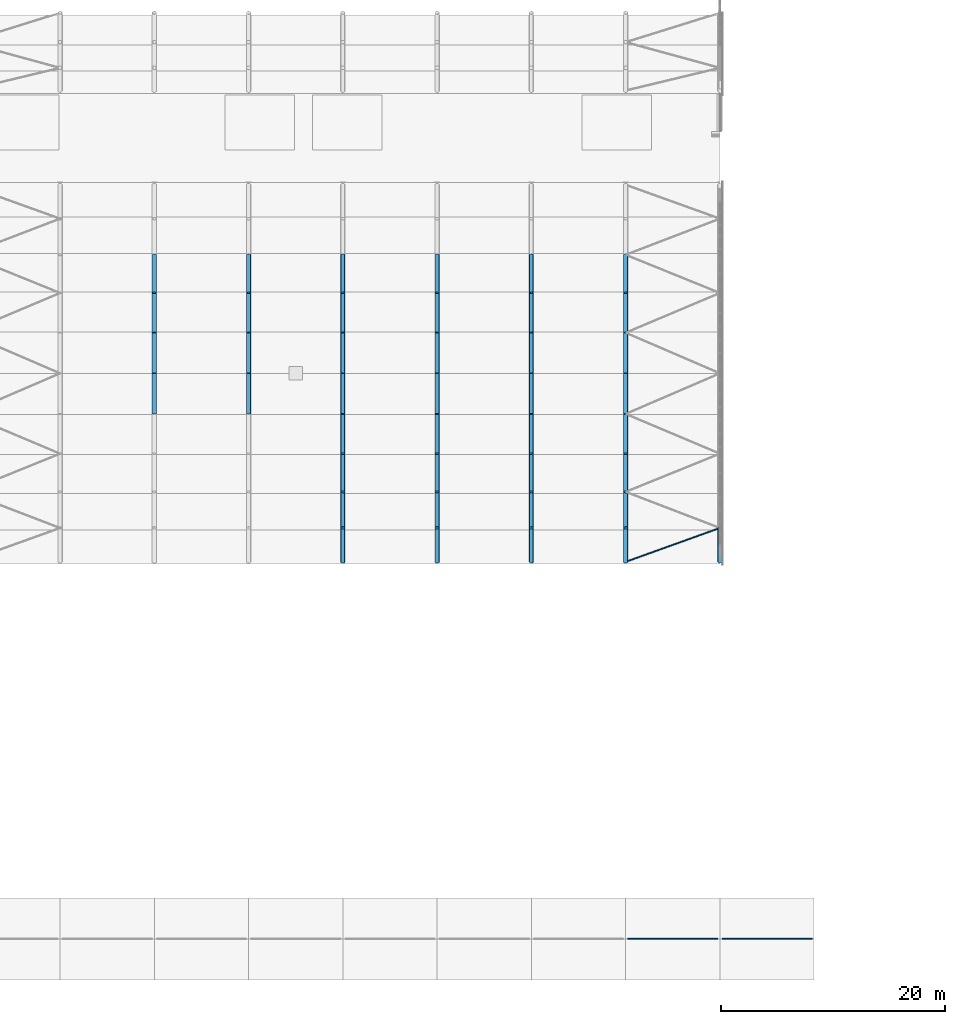
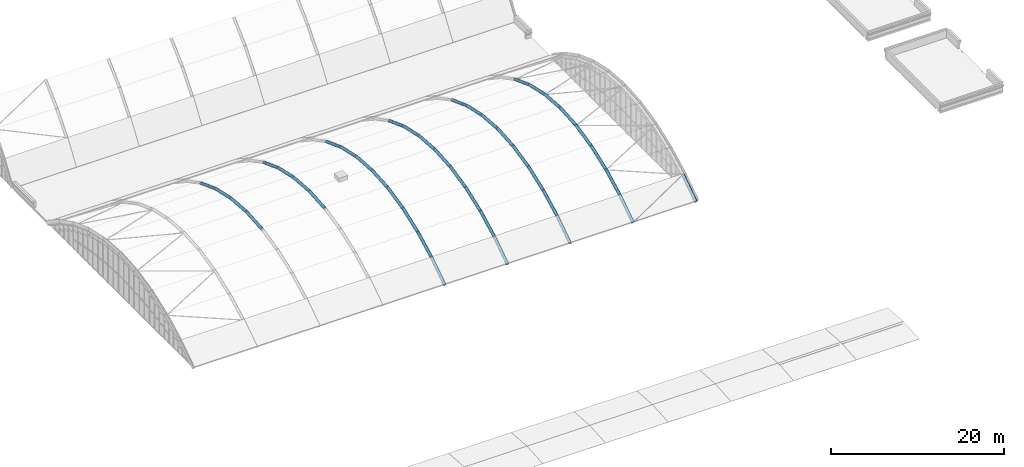
# One storey, part 10 of 77: 44 members.
"""IFC4 building model written with IfcOpenShell, lengths in metres."""

from ifc_helpers import new_model, si_unit, direction, frame, origin, origin_2d, place, context, subcontext, project, spatial, hollow_circle, extrude, material, material_profile, profile_set, type_object, element, save


model = new_model("IFC4")

# Units and contexts
model_context = context("Model", 3, precision=1e-05, world=origin(), true_north=direction((0.0, 1.0)))
body_context = subcontext(model_context, "Body", "Model", "MODEL_VIEW")
ifc_project = project(units=[si_unit("LENGTHUNIT", "METRE"), si_unit("AREAUNIT", "SQUARE_METRE"), si_unit("VOLUMEUNIT", "CUBIC_METRE"), si_unit("PLANEANGLEUNIT", "RADIAN"), si_unit("MASSUNIT", "GRAM", prefix="KILO")], contexts=[model_context])

# Site, building, storey
site_placement = place(None, origin())
site = spatial("IfcSite", under=ifc_project, at=site_placement, CompositionType="ELEMENT")
building_placement = place(site_placement, origin())
building = spatial("IfcBuilding", under=site, at=building_placement, Name="Catenary Quay Ferry Terminal", CompositionType="ELEMENT")
storey_placement = place(building_placement, frame((0.0, 0.0, 10.800048828125)))
storey = spatial("IfcBuildingStorey", under=building, at=storey_placement, Name="L02", CompositionType="ELEMENT", Elevation=10.800048828125)

# Members
ifc_material_1 = material(Name="Steel S355", Category="steel")
ifc_material_profile_1 = material_profile(ifc_material_1, hollow_circle(Radius=0.06982421875, WallThickness=0.008056640625, at=origin_2d()), Name="CHS 139.7x8")
ifc_profile_set_1 = profile_set([ifc_material_profile_1], Name="Steel S355")
member_type_1 = type_object("IfcMemberType", Name="BR1 CHS 139.7x8", PredefinedType="BRACE", material=ifc_profile_set_1)
member_1_placement = place(storey_placement, frame((84.195068359375, 67.27001953125, 0.046875), z_axis=(0.91804351654, 0.329853169346, 0.219984063995), x_axis=(-0.338136337743, 0.941097134784, 0.0)))
element("IfcMember", 1, at=member_1_placement, inside=storey, type_object=member_type_1, Name="Roof brace BR-VA-08-01", PredefinedType="BRACE", context=body_context, shape_type="SweptSolid", body=[
    extrude(hollow_circle(Radius=0.06982421875, WallThickness=0.008056640625, at=origin_2d()), origin(), (0.0, 0.0, 1.0), 8.937255859375),
])
ifc_material_2 = material(Name="Steel S355", Category="steel")
ifc_material_profile_2 = material_profile(ifc_material_2, hollow_circle(Radius=0.06982421875, WallThickness=0.008056640625, at=origin_2d()), Name="CHS 139.7x8")
ifc_profile_set_2 = profile_set([ifc_material_profile_2], Name="Steel S355")
member_type_2 = type_object("IfcMemberType", Name="PU1 CHS 139.7x8", PredefinedType="PURLIN", material=ifc_profile_set_2)
for number, where, z_axis, x_axis, name in (
    (2, (84.172119140625, 33.60009765625, 0.199951171875), (1.0, 0.0, 0.0), (0.0, 1.0, 0.0), "Purlin PU-CA-09-05"),
    (3, (92.572021484375, 33.60009765625, 0.199951171875), (1.0, 0.0, 0.0), (0.0, 1.0, 0.0), "Purlin PU-CA-10-05"),
):
    element("IfcMember", number, at=place(storey_placement, frame(where, z_axis=z_axis, x_axis=x_axis)), inside=storey, type_object=member_type_2, Name=name, PredefinedType="PURLIN", context=body_context, shape_type="SweptSolid", body=[
        extrude(hollow_circle(Radius=0.06982421875, WallThickness=0.008056640625, at=origin_2d()), origin(), (0.0, 0.0, 1.0), 8.055908203125),
    ])
ifc_material_3 = material(Name="Steel S355", Category="steel")
ifc_material_profile_3 = material_profile(ifc_material_3, hollow_circle(Radius=0.203125, WallThickness=0.01611328125, at=origin_2d()), Name="CHS 406.4x16")
ifc_profile_set_3 = profile_set([ifc_material_profile_3], Name="Steel S355")
member_type_3 = type_object("IfcMemberType", Name="VR3 CHS 406.4x16", PredefinedType="RAFTER", material=ifc_profile_set_3)
for number, where, z_axis, x_axis, name in (
    (4, (42.0, 80.382080078125, 5.73193359375), (0.0, 0.997266285305, 0.073891516382), (-1.0, 0.0, 0.0), "Vault rib VA-03-05"),
    (5, (42.0, 84.0, 6.0), (0.0, 0.997266285305, -0.073891516382), (-1.0, 0.0, 0.0), "Vault rib VA-03-06"),
):
    element("IfcMember", number, at=place(storey_placement, frame(where, z_axis=z_axis, x_axis=x_axis)), inside=storey, type_object=member_type_3, Name=name, PredefinedType="RAFTER", context=body_context, shape_type="SweptSolid", body=[
        extrude(hollow_circle(Radius=0.203125, WallThickness=0.01611328125, at=origin_2d()), origin(), (0.0, 0.0, 1.0), 3.6279296875),
    ])
for number, where, z_axis, x_axis, name in (
    (6, (42.0, 87.617919921875, 5.73193359375), (0.0, 0.976201307112, -0.216866336698), (-1.0, 0.0, 0.0), "Vault rib VA-03-07"),
    (7, (42.0, 91.159912109375, 4.945068359375), (0.0, 0.937641576687, -0.347603615728), (-1.0, 0.0, 0.0), "Vault rib VA-03-08"),
):
    element("IfcMember", number, at=place(storey_placement, frame(where, z_axis=z_axis, x_axis=x_axis)), inside=storey, type_object=member_type_3, Name=name, PredefinedType="RAFTER", context=body_context, shape_type="SweptSolid", body=[
        extrude(hollow_circle(Radius=0.203125, WallThickness=0.01611328125, at=origin_2d()), origin(), (0.0, 0.0, 1.0), 3.62841796875),
    ])
for number, where, z_axis, x_axis, name in (
    (8, (50.39990234375, 80.382080078125, 5.73193359375), (0.0, 0.997266285305, 0.073891516382), (-1.0, 0.0, 0.0), "Vault rib VA-04-05"),
    (9, (50.39990234375, 84.0, 6.0), (0.0, 0.997266285305, -0.073891516382), (-1.0, 0.0, 0.0), "Vault rib VA-04-06"),
):
    element("IfcMember", number, at=place(storey_placement, frame(where, z_axis=z_axis, x_axis=x_axis)), inside=storey, type_object=member_type_3, Name=name, PredefinedType="RAFTER", context=body_context, shape_type="SweptSolid", body=[
        extrude(hollow_circle(Radius=0.203125, WallThickness=0.01611328125, at=origin_2d()), origin(), (0.0, 0.0, 1.0), 3.6279296875),
    ])
for number, where, z_axis, x_axis, name in (
    (10, (50.39990234375, 87.617919921875, 5.73193359375), (0.0, 0.976201307112, -0.216866336698), (-1.0, 0.0, 0.0), "Vault rib VA-04-07"),
    (11, (50.39990234375, 91.159912109375, 4.945068359375), (0.0, 0.937641576687, -0.347603615728), (-1.0, 0.0, 0.0), "Vault rib VA-04-08"),
):
    element("IfcMember", number, at=place(storey_placement, frame(where, z_axis=z_axis, x_axis=x_axis)), inside=storey, type_object=member_type_3, Name=name, PredefinedType="RAFTER", context=body_context, shape_type="SweptSolid", body=[
        extrude(hollow_circle(Radius=0.203125, WallThickness=0.01611328125, at=origin_2d()), origin(), (0.0, 0.0, 1.0), 3.62841796875),
    ])
for number, where, z_axis, x_axis, name in (
    (12, (58.800048828125, 67.199951171875, 0.0), (0.0, 0.831936388081, 0.554871017613), (-1.0, 0.0, 0.0), "Vault rib VA-05-01"),
    (13, (58.800048828125, 70.218017578125, 2.012939453125), (0.0, 0.887609848797, 0.460596088041), (-1.0, 0.0, 0.0), "Vault rib VA-05-02"),
):
    element("IfcMember", number, at=place(storey_placement, frame(where, z_axis=z_axis, x_axis=x_axis)), inside=storey, type_object=member_type_3, Name=name, PredefinedType="RAFTER", context=body_context, shape_type="SweptSolid", body=[
        extrude(hollow_circle(Radius=0.203125, WallThickness=0.01611328125, at=origin_2d()), origin(), (0.0, 0.0, 1.0), 3.627685546875),
    ])
for number, where, z_axis, x_axis, name in (
    (14, (58.800048828125, 73.43798828125, 3.683837890625), (0.0, 0.937641576687, 0.347603615728), (-1.0, 0.0, 0.0), "Vault rib VA-05-03"),
    (15, (58.800048828125, 76.840087890625, 4.945068359375), (0.0, 0.976201307112, 0.216866336698), (-1.0, 0.0, 0.0), "Vault rib VA-05-04"),
):
    element("IfcMember", number, at=place(storey_placement, frame(where, z_axis=z_axis, x_axis=x_axis)), inside=storey, type_object=member_type_3, Name=name, PredefinedType="RAFTER", context=body_context, shape_type="SweptSolid", body=[
        extrude(hollow_circle(Radius=0.203125, WallThickness=0.01611328125, at=origin_2d()), origin(), (0.0, 0.0, 1.0), 3.62841796875),
    ])
for number, where, z_axis, x_axis, name in (
    (16, (58.800048828125, 80.382080078125, 5.73193359375), (0.0, 0.997266285305, 0.073891516382), (-1.0, 0.0, 0.0), "Vault rib VA-05-05"),
    (17, (58.800048828125, 84.0, 6.0), (0.0, 0.997266285305, -0.073891516382), (-1.0, 0.0, 0.0), "Vault rib VA-05-06"),
):
    element("IfcMember", number, at=place(storey_placement, frame(where, z_axis=z_axis, x_axis=x_axis)), inside=storey, type_object=member_type_3, Name=name, PredefinedType="RAFTER", context=body_context, shape_type="SweptSolid", body=[
        extrude(hollow_circle(Radius=0.203125, WallThickness=0.01611328125, at=origin_2d()), origin(), (0.0, 0.0, 1.0), 3.6279296875),
    ])
for number, where, z_axis, x_axis, name in (
    (18, (58.800048828125, 87.617919921875, 5.73193359375), (0.0, 0.976201307112, -0.216866336698), (-1.0, 0.0, 0.0), "Vault rib VA-05-07"),
    (19, (58.800048828125, 91.159912109375, 4.945068359375), (0.0, 0.937641576687, -0.347603615728), (-1.0, 0.0, 0.0), "Vault rib VA-05-08"),
):
    element("IfcMember", number, at=place(storey_placement, frame(where, z_axis=z_axis, x_axis=x_axis)), inside=storey, type_object=member_type_3, Name=name, PredefinedType="RAFTER", context=body_context, shape_type="SweptSolid", body=[
        extrude(hollow_circle(Radius=0.203125, WallThickness=0.01611328125, at=origin_2d()), origin(), (0.0, 0.0, 1.0), 3.62841796875),
    ])
for number, where, z_axis, x_axis, name in (
    (20, (67.199951171875, 67.199951171875, 0.0), (0.0, 0.831936388081, 0.554871017613), (-1.0, 0.0, 0.0), "Vault rib VA-06-01"),
    (21, (67.199951171875, 70.218017578125, 2.012939453125), (0.0, 0.887609848797, 0.460596088041), (-1.0, 0.0, 0.0), "Vault rib VA-06-02"),
):
    element("IfcMember", number, at=place(storey_placement, frame(where, z_axis=z_axis, x_axis=x_axis)), inside=storey, type_object=member_type_3, Name=name, PredefinedType="RAFTER", context=body_context, shape_type="SweptSolid", body=[
        extrude(hollow_circle(Radius=0.203125, WallThickness=0.01611328125, at=origin_2d()), origin(), (0.0, 0.0, 1.0), 3.627685546875),
    ])
for number, where, z_axis, x_axis, name in (
    (22, (67.199951171875, 73.43798828125, 3.683837890625), (0.0, 0.937641576687, 0.347603615728), (-1.0, 0.0, 0.0), "Vault rib VA-06-03"),
    (23, (67.199951171875, 76.840087890625, 4.945068359375), (0.0, 0.976201307112, 0.216866336698), (-1.0, 0.0, 0.0), "Vault rib VA-06-04"),
):
    element("IfcMember", number, at=place(storey_placement, frame(where, z_axis=z_axis, x_axis=x_axis)), inside=storey, type_object=member_type_3, Name=name, PredefinedType="RAFTER", context=body_context, shape_type="SweptSolid", body=[
        extrude(hollow_circle(Radius=0.203125, WallThickness=0.01611328125, at=origin_2d()), origin(), (0.0, 0.0, 1.0), 3.62841796875),
    ])
for number, where, z_axis, x_axis, name in (
    (24, (67.199951171875, 80.382080078125, 5.73193359375), (0.0, 0.997266285305, 0.073891516382), (-1.0, 0.0, 0.0), "Vault rib VA-06-05"),
    (25, (67.199951171875, 84.0, 6.0), (0.0, 0.997266285305, -0.073891516382), (-1.0, 0.0, 0.0), "Vault rib VA-06-06"),
):
    element("IfcMember", number, at=place(storey_placement, frame(where, z_axis=z_axis, x_axis=x_axis)), inside=storey, type_object=member_type_3, Name=name, PredefinedType="RAFTER", context=body_context, shape_type="SweptSolid", body=[
        extrude(hollow_circle(Radius=0.203125, WallThickness=0.01611328125, at=origin_2d()), origin(), (0.0, 0.0, 1.0), 3.6279296875),
    ])
for number, where, z_axis, x_axis, name in (
    (26, (67.199951171875, 87.617919921875, 5.73193359375), (0.0, 0.976201307112, -0.216866336698), (-1.0, 0.0, 0.0), "Vault rib VA-06-07"),
    (27, (67.199951171875, 91.159912109375, 4.945068359375), (0.0, 0.937641576687, -0.347603615728), (-1.0, 0.0, 0.0), "Vault rib VA-06-08"),
):
    element("IfcMember", number, at=place(storey_placement, frame(where, z_axis=z_axis, x_axis=x_axis)), inside=storey, type_object=member_type_3, Name=name, PredefinedType="RAFTER", context=body_context, shape_type="SweptSolid", body=[
        extrude(hollow_circle(Radius=0.203125, WallThickness=0.01611328125, at=origin_2d()), origin(), (0.0, 0.0, 1.0), 3.62841796875),
    ])
for number, where, z_axis, x_axis, name in (
    (28, (75.60009765625, 67.199951171875, 0.0), (0.0, 0.831936388081, 0.554871017613), (-1.0, 0.0, 0.0), "Vault rib VA-07-01"),
    (29, (75.60009765625, 70.218017578125, 2.012939453125), (0.0, 0.887609848797, 0.460596088041), (-1.0, 0.0, 0.0), "Vault rib VA-07-02"),
):
    element("IfcMember", number, at=place(storey_placement, frame(where, z_axis=z_axis, x_axis=x_axis)), inside=storey, type_object=member_type_3, Name=name, PredefinedType="RAFTER", context=body_context, shape_type="SweptSolid", body=[
        extrude(hollow_circle(Radius=0.203125, WallThickness=0.01611328125, at=origin_2d()), origin(), (0.0, 0.0, 1.0), 3.627685546875),
    ])
for number, where, z_axis, x_axis, name in (
    (30, (75.60009765625, 73.43798828125, 3.683837890625), (0.0, 0.937641576687, 0.347603615728), (-1.0, 0.0, 0.0), "Vault rib VA-07-03"),
    (31, (75.60009765625, 76.840087890625, 4.945068359375), (0.0, 0.976201307112, 0.216866336698), (-1.0, 0.0, 0.0), "Vault rib VA-07-04"),
):
    element("IfcMember", number, at=place(storey_placement, frame(where, z_axis=z_axis, x_axis=x_axis)), inside=storey, type_object=member_type_3, Name=name, PredefinedType="RAFTER", context=body_context, shape_type="SweptSolid", body=[
        extrude(hollow_circle(Radius=0.203125, WallThickness=0.01611328125, at=origin_2d()), origin(), (0.0, 0.0, 1.0), 3.62841796875),
    ])
for number, where, z_axis, x_axis, name in (
    (32, (75.60009765625, 80.382080078125, 5.73193359375), (0.0, 0.997266285305, 0.073891516382), (-1.0, 0.0, 0.0), "Vault rib VA-07-05"),
    (33, (75.60009765625, 84.0, 6.0), (0.0, 0.997266285305, -0.073891516382), (-1.0, 0.0, 0.0), "Vault rib VA-07-06"),
):
    element("IfcMember", number, at=place(storey_placement, frame(where, z_axis=z_axis, x_axis=x_axis)), inside=storey, type_object=member_type_3, Name=name, PredefinedType="RAFTER", context=body_context, shape_type="SweptSolid", body=[
        extrude(hollow_circle(Radius=0.203125, WallThickness=0.01611328125, at=origin_2d()), origin(), (0.0, 0.0, 1.0), 3.6279296875),
    ])
for number, where, z_axis, x_axis, name in (
    (34, (75.60009765625, 87.617919921875, 5.73193359375), (0.0, 0.976201307112, -0.216866336698), (-1.0, 0.0, 0.0), "Vault rib VA-07-07"),
    (35, (75.60009765625, 91.159912109375, 4.945068359375), (0.0, 0.937641576687, -0.347603615728), (-1.0, 0.0, 0.0), "Vault rib VA-07-08"),
):
    element("IfcMember", number, at=place(storey_placement, frame(where, z_axis=z_axis, x_axis=x_axis)), inside=storey, type_object=member_type_3, Name=name, PredefinedType="RAFTER", context=body_context, shape_type="SweptSolid", body=[
        extrude(hollow_circle(Radius=0.203125, WallThickness=0.01611328125, at=origin_2d()), origin(), (0.0, 0.0, 1.0), 3.62841796875),
    ])
for number, where, z_axis, x_axis, name in (
    (36, (84.0, 67.199951171875, 0.0), (0.0, 0.831936388081, 0.554871017613), (-1.0, 0.0, 0.0), "Vault rib VA-08-01"),
    (37, (84.0, 70.218017578125, 2.012939453125), (0.0, 0.887609848797, 0.460596088041), (-1.0, 0.0, 0.0), "Vault rib VA-08-02"),
):
    element("IfcMember", number, at=place(storey_placement, frame(where, z_axis=z_axis, x_axis=x_axis)), inside=storey, type_object=member_type_3, Name=name, PredefinedType="RAFTER", context=body_context, shape_type="SweptSolid", body=[
        extrude(hollow_circle(Radius=0.203125, WallThickness=0.01611328125, at=origin_2d()), origin(), (0.0, 0.0, 1.0), 3.627685546875),
    ])
for number, where, z_axis, x_axis, name in (
    (38, (84.0, 73.43798828125, 3.683837890625), (0.0, 0.937641576687, 0.347603615728), (-1.0, 0.0, 0.0), "Vault rib VA-08-03"),
    (39, (84.0, 76.840087890625, 4.945068359375), (0.0, 0.976201307112, 0.216866336698), (-1.0, 0.0, 0.0), "Vault rib VA-08-04"),
):
    element("IfcMember", number, at=place(storey_placement, frame(where, z_axis=z_axis, x_axis=x_axis)), inside=storey, type_object=member_type_3, Name=name, PredefinedType="RAFTER", context=body_context, shape_type="SweptSolid", body=[
        extrude(hollow_circle(Radius=0.203125, WallThickness=0.01611328125, at=origin_2d()), origin(), (0.0, 0.0, 1.0), 3.62841796875),
    ])
for number, where, z_axis, x_axis, name in (
    (40, (84.0, 80.382080078125, 5.73193359375), (0.0, 0.997266285305, 0.073891516382), (-1.0, 0.0, 0.0), "Vault rib VA-08-05"),
    (41, (84.0, 84.0, 6.0), (0.0, 0.997266285305, -0.073891516382), (-1.0, 0.0, 0.0), "Vault rib VA-08-06"),
):
    element("IfcMember", number, at=place(storey_placement, frame(where, z_axis=z_axis, x_axis=x_axis)), inside=storey, type_object=member_type_3, Name=name, PredefinedType="RAFTER", context=body_context, shape_type="SweptSolid", body=[
        extrude(hollow_circle(Radius=0.203125, WallThickness=0.01611328125, at=origin_2d()), origin(), (0.0, 0.0, 1.0), 3.6279296875),
    ])
for number, where, z_axis, x_axis, name in (
    (42, (84.0, 87.617919921875, 5.73193359375), (0.0, 0.976201307112, -0.216866336698), (-1.0, 0.0, 0.0), "Vault rib VA-08-07"),
    (43, (84.0, 91.159912109375, 4.945068359375), (0.0, 0.937641576687, -0.347603615728), (-1.0, 0.0, 0.0), "Vault rib VA-08-08"),
):
    element("IfcMember", number, at=place(storey_placement, frame(where, z_axis=z_axis, x_axis=x_axis)), inside=storey, type_object=member_type_3, Name=name, PredefinedType="RAFTER", context=body_context, shape_type="SweptSolid", body=[
        extrude(hollow_circle(Radius=0.203125, WallThickness=0.01611328125, at=origin_2d()), origin(), (0.0, 0.0, 1.0), 3.62841796875),
    ])
member_2_placement = place(storey_placement, frame((92.39990234375, 67.199951171875, 0.0), z_axis=(0.0, 0.831936388081, 0.554871017613), x_axis=(-1.0, 0.0, 0.0)))
element("IfcMember", 44, at=member_2_placement, inside=storey, type_object=member_type_3, Name="Vault rib VA-09-01", PredefinedType="RAFTER", context=body_context, shape_type="SweptSolid", body=[
    extrude(hollow_circle(Radius=0.203125, WallThickness=0.01611328125, at=origin_2d()), origin(), (0.0, 0.0, 1.0), 3.627685546875),
])

save(model, "model.ifc")
